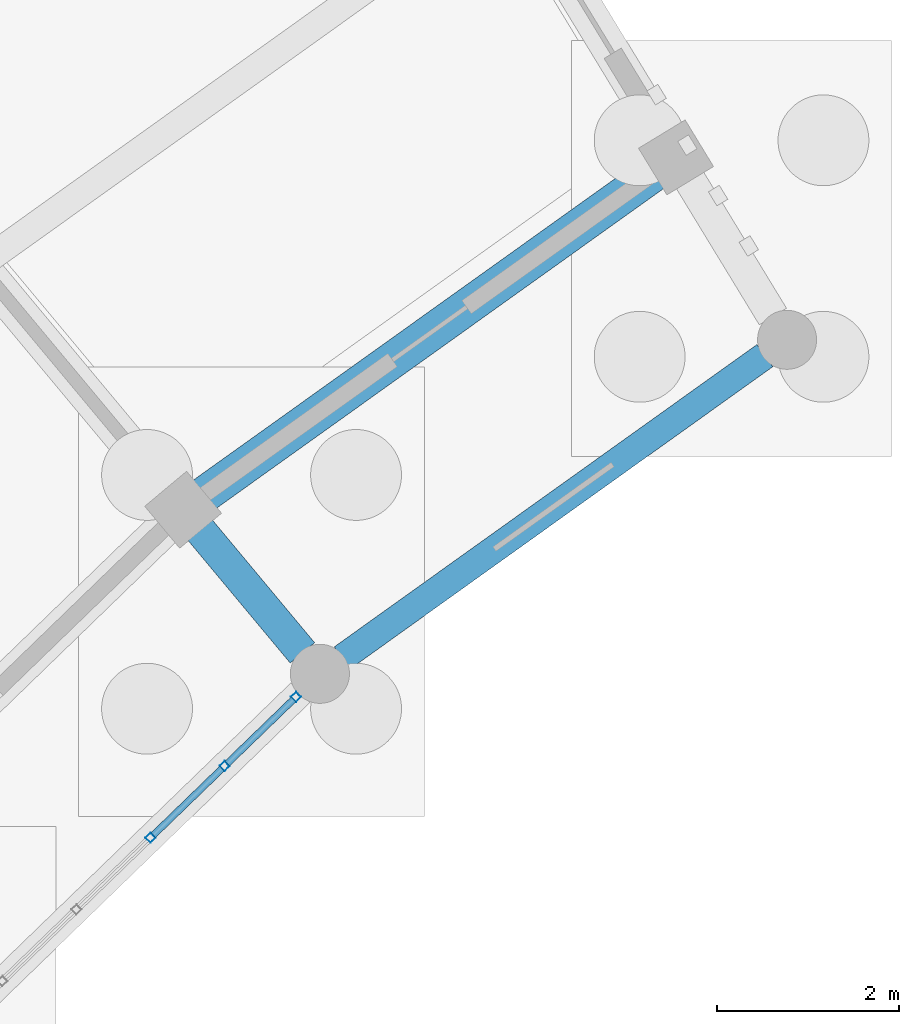
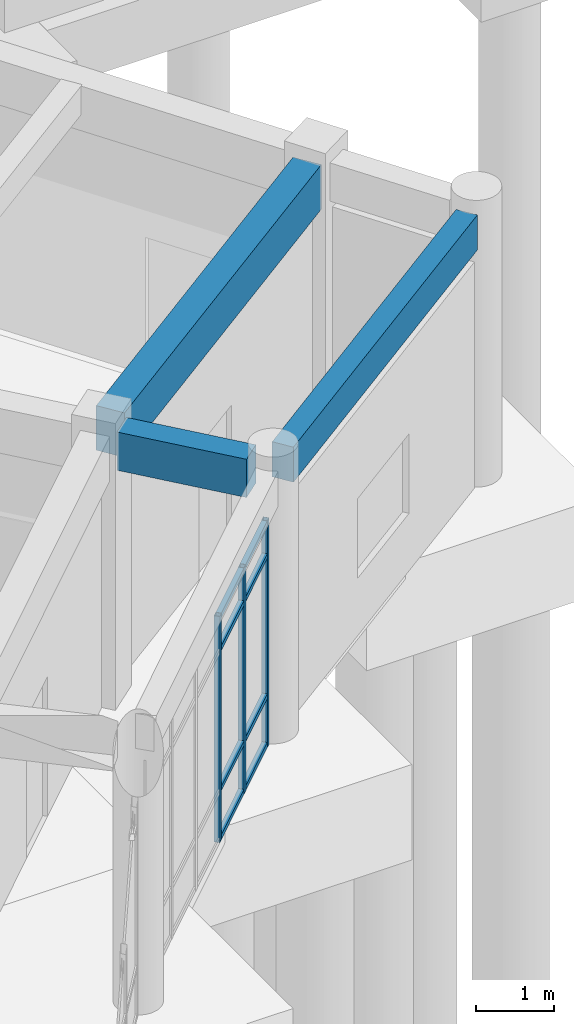
# One storey, part 70 of 153: 11 members, 3 beams, 1 element without a shape of its own.
"""IFC4 building model written with IfcOpenShell, lengths in metres."""

from ifc_helpers import new_model, si_unit, direction, frame, origin, origin_2d, place, context, subcontext, project, spatial, rectangle, hollow_rectangle, extrude, material, material_profile, profile_set, type_object, element, aggregate, save


model = new_model("IFC4")

# Units and contexts
model_context = context("Model", 3, precision=1e-05, world=origin(), true_north=direction((0.0, 1.0)))
body_context = subcontext(model_context, "Body", "Model", "MODEL_VIEW")
ifc_project = project(units=[si_unit("LENGTHUNIT", "METRE"), si_unit("AREAUNIT", "SQUARE_METRE"), si_unit("VOLUMEUNIT", "CUBIC_METRE"), si_unit("PLANEANGLEUNIT", "RADIAN"), si_unit("MASSUNIT", "GRAM", prefix="KILO")], contexts=[model_context])

# Site, building, storey
site_placement = place(None, origin())
site = spatial("IfcSite", under=ifc_project, at=site_placement, CompositionType="ELEMENT")
building_placement = place(site_placement, origin())
building = spatial("IfcBuilding", under=site, at=building_placement, Name="Celadon Cloister-Ring School", CompositionType="ELEMENT")
storey_placement = place(building_placement, origin())
storey = spatial("IfcBuildingStorey", under=building, at=storey_placement, Name="L00", CompositionType="ELEMENT", Elevation=0.0)

# Beam
ifc_material_1 = material(Name="Concrete C35/45", Category="concrete")
ifc_material_profile_1 = material_profile(ifc_material_1, rectangle(XDim=0.35009765625, YDim=0.60009765625, at=origin_2d()), Name="RC350X600")
ifc_profile_set_1 = profile_set([ifc_material_profile_1], Name="Concrete C35/45")
beam_type_1 = type_object("IfcBeamType", Name="BT-02", PredefinedType="BEAM", material=ifc_profile_set_1)
beam_1_placement = place(storey_placement, frame((58.361083984375, 93.35400390625, 3.97998046875), z_axis=(0.640279058295, -0.768142387523, 0.0), x_axis=(0.768142387523, 0.640279058295, 0.0)))
element("IfcBeam", 1, at=beam_1_placement, inside=storey, type_object=beam_type_1, Name="Beam 0004", PredefinedType="BEAM", context=body_context, shape_type="SweptSolid", body=[
    extrude(rectangle(XDim=0.35009765625, YDim=0.60009765625, at=origin_2d()), origin(), (0.0, 0.0, 1.0), 1.775634765625),
])

# Curtain wall, members
ifc_material_2 = material(Name="Aluminium EN AW-6063 T6", Category="aluminium")
curtain_wall_type = type_object("IfcCurtainWallType", Name="CW-01", PredefinedType="USERDEFINED", material=ifc_material_2)
curtain_wall_placement = place(storey_placement, origin())
curtain_wall = element("IfcCurtainWall", 2, at=curtain_wall_placement, inside=storey, type_object=curtain_wall_type, Name="Curtain Wall 0001", ObjectType="CURTAIN WALL", PredefinedType="USERDEFINED")
ifc_material_3 = material(Name="Aluminium EN AW-6063 T6", Category="aluminium")
ifc_material_profile_2 = material_profile(ifc_material_3, hollow_rectangle(XDim=0.080078125, YDim=0.080078125, WallThickness=0.00390625, at=origin_2d()), Name="RHS80X80X4")
ifc_profile_set_2 = profile_set([ifc_material_profile_2], Name="Aluminium EN AW-6063 T6")
member_type_1 = type_object("IfcMemberType", Name="CM-03", PredefinedType="MULLION", material=ifc_profile_set_2)
member_1_placement = place(storey_placement, frame((59.42822265625, 91.506103515625, 0.0), z_axis=(0.0, 0.0, 1.0), x_axis=(0.695459621292, -0.718565178082, 0.0)))
member_1 = element("IfcMember", 3, at=member_1_placement, type_object=member_type_1, Name="CW-01 mullion 1", PredefinedType="MULLION", context=body_context, shape_type="SweptSolid", body=[
    extrude(hollow_rectangle(XDim=0.080078125, YDim=0.080078125, WallThickness=0.00390625, at=origin_2d()), origin(), (0.0, 0.0, 1.0), 3.550048828125),
])
member_2_placement = place(storey_placement, frame((58.64208984375, 90.745361328125, 0.0), z_axis=(0.0, 0.0, 1.0), x_axis=(0.695459621292, -0.718565178082, 0.0)))
member_2 = element("IfcMember", 4, at=member_2_placement, type_object=member_type_1, Name="CW-01 mullion 2", PredefinedType="MULLION", context=body_context, shape_type="SweptSolid", body=[
    extrude(hollow_rectangle(XDim=0.080078125, YDim=0.080078125, WallThickness=0.00390625, at=origin_2d()), origin(), (0.0, 0.0, 1.0), 3.550048828125),
])
member_3_placement = place(storey_placement, frame((57.827392578125, 89.956787109375, 0.0), z_axis=(0.0, 0.0, 1.0), x_axis=(0.695459621292, -0.718565178082, 0.0)))
member_3 = element("IfcMember", 5, at=member_3_placement, type_object=member_type_1, Name="CW-01 mullion 3", PredefinedType="MULLION", context=body_context, shape_type="SweptSolid", body=[
    extrude(hollow_rectangle(XDim=0.080078125, YDim=0.080078125, WallThickness=0.00390625, at=origin_2d()), origin(), (0.0, 0.0, 1.0), 3.550048828125),
])
ifc_material_4 = material(Name="Aluminium EN AW-6063 T6", Category="aluminium")
ifc_material_profile_3 = material_profile(ifc_material_4, hollow_rectangle(XDim=0.074951171875, YDim=0.074951171875, WallThickness=0.00390625, at=origin_2d()), Name="RHS75X75X4")
ifc_profile_set_3 = profile_set([ifc_material_profile_3], Name="Aluminium EN AW-6063 T6")
member_type_2 = type_object("IfcMemberType", Name="CTM-03", PredefinedType="USERDEFINED", material=ifc_profile_set_3)
member_4_placement = place(storey_placement, frame((59.3994140625, 91.478271484375, 0.03759765625), z_axis=(-0.718571085746, -0.695453517304, 0.0), x_axis=(0.695453517304, -0.718571085746, 0.0)))
member_4 = element("IfcMember", 6, at=member_4_placement, type_object=member_type_2, Name="CW-01 transom 1.1", ObjectType="TRANSOM", PredefinedType="USERDEFINED", context=body_context, shape_type="SweptSolid", body=[
    extrude(hollow_rectangle(XDim=0.074951171875, YDim=0.074951171875, WallThickness=0.00390625, at=origin_2d()), origin(), (0.0, 0.0, 1.0), 1.013916015625),
])
member_5_placement = place(storey_placement, frame((59.3994140625, 91.478271484375, 0.800048828125), z_axis=(-0.718571085746, -0.695453517304, 0.0), x_axis=(0.695453517304, -0.718571085746, 0.0)))
member_5 = element("IfcMember", 7, at=member_5_placement, type_object=member_type_2, Name="CW-01 transom 1.2", ObjectType="TRANSOM", PredefinedType="USERDEFINED", context=body_context, shape_type="SweptSolid", body=[
    extrude(hollow_rectangle(XDim=0.074951171875, YDim=0.074951171875, WallThickness=0.00390625, at=origin_2d()), origin(), (0.0, 0.0, 1.0), 1.013916015625),
])
member_6_placement = place(storey_placement, frame((59.3994140625, 91.478271484375, 3.0), z_axis=(-0.718571085746, -0.695453517304, 0.0), x_axis=(0.695453517304, -0.718571085746, 0.0)))
member_6 = element("IfcMember", 8, at=member_6_placement, type_object=member_type_2, Name="CW-01 transom 1.3", ObjectType="TRANSOM", PredefinedType="USERDEFINED", context=body_context, shape_type="SweptSolid", body=[
    extrude(hollow_rectangle(XDim=0.074951171875, YDim=0.074951171875, WallThickness=0.00390625, at=origin_2d()), origin(), (0.0, 0.0, 1.0), 1.013916015625),
])
member_7_placement = place(storey_placement, frame((59.3994140625, 91.478271484375, 3.512451171875), z_axis=(-0.718571085746, -0.695453517304, 0.0), x_axis=(0.695453517304, -0.718571085746, 0.0)))
member_7 = element("IfcMember", 9, at=member_7_placement, type_object=member_type_2, Name="CW-01 transom 1.4", ObjectType="TRANSOM", PredefinedType="USERDEFINED", context=body_context, shape_type="SweptSolid", body=[
    extrude(hollow_rectangle(XDim=0.074951171875, YDim=0.074951171875, WallThickness=0.00390625, at=origin_2d()), origin(), (0.0, 0.0, 1.0), 1.013916015625),
])
member_8_placement = place(storey_placement, frame((58.613525390625, 90.717529296875, 0.03759765625), z_axis=(-0.71859467299, -0.695429145169, 0.0), x_axis=(0.695429145169, -0.71859467299, 0.0)))
member_8 = element("IfcMember", 10, at=member_8_placement, type_object=member_type_2, Name="CW-01 transom 2.1", ObjectType="TRANSOM", PredefinedType="USERDEFINED", context=body_context, shape_type="SweptSolid", body=[
    extrude(hollow_rectangle(XDim=0.074951171875, YDim=0.074951171875, WallThickness=0.00390625, at=origin_2d()), origin(), (0.0, 0.0, 1.0), 1.053955078125),
])
member_9_placement = place(storey_placement, frame((58.613525390625, 90.717529296875, 0.800048828125), z_axis=(-0.71859467299, -0.695429145169, 0.0), x_axis=(0.695429145169, -0.71859467299, 0.0)))
member_9 = element("IfcMember", 11, at=member_9_placement, type_object=member_type_2, Name="CW-01 transom 2.2", ObjectType="TRANSOM", PredefinedType="USERDEFINED", context=body_context, shape_type="SweptSolid", body=[
    extrude(hollow_rectangle(XDim=0.074951171875, YDim=0.074951171875, WallThickness=0.00390625, at=origin_2d()), origin(), (0.0, 0.0, 1.0), 1.053955078125),
])
member_10_placement = place(storey_placement, frame((58.613525390625, 90.717529296875, 3.0), z_axis=(-0.71859467299, -0.695429145169, 0.0), x_axis=(0.695429145169, -0.71859467299, 0.0)))
member_10 = element("IfcMember", 12, at=member_10_placement, type_object=member_type_2, Name="CW-01 transom 2.3", ObjectType="TRANSOM", PredefinedType="USERDEFINED", context=body_context, shape_type="SweptSolid", body=[
    extrude(hollow_rectangle(XDim=0.074951171875, YDim=0.074951171875, WallThickness=0.00390625, at=origin_2d()), origin(), (0.0, 0.0, 1.0), 1.053955078125),
])
member_11_placement = place(storey_placement, frame((58.613525390625, 90.717529296875, 3.512451171875), z_axis=(-0.71859467299, -0.695429145169, 0.0), x_axis=(0.695429145169, -0.71859467299, 0.0)))
member_11 = element("IfcMember", 13, at=member_11_placement, type_object=member_type_2, Name="CW-01 transom 2.4", ObjectType="TRANSOM", PredefinedType="USERDEFINED", context=body_context, shape_type="SweptSolid", body=[
    extrude(hollow_rectangle(XDim=0.074951171875, YDim=0.074951171875, WallThickness=0.00390625, at=origin_2d()), origin(), (0.0, 0.0, 1.0), 1.053955078125),
])
aggregate(curtain_wall, [member_1, member_2, member_3, member_4, member_5, member_6, member_7, member_8, member_9, member_10, member_11])

# Beams
ifc_material_5 = material(Name="Concrete C35/45", Category="concrete")
ifc_material_profile_4 = material_profile(ifc_material_5, rectangle(XDim=0.39990234375, YDim=0.699951171875, at=origin_2d()), Name="RC400X700")
ifc_profile_set_4 = profile_set([ifc_material_profile_4], Name="Concrete C35/45")
beam_type_2 = type_object("IfcBeamType", Name="GT-03", PredefinedType="USERDEFINED", material=ifc_profile_set_4)
beam_2_placement = place(storey_placement, frame((63.384033203125, 97.281982421875, 3.929931640625), z_axis=(-0.813482549001, -0.581589324585, 0.0), x_axis=(0.581589324585, -0.813482549001, 0.0)))
element("IfcBeam", 14, at=beam_2_placement, inside=storey, type_object=beam_type_2, Name="Beam 0070", ObjectType="GIRDER", PredefinedType="USERDEFINED", context=body_context, shape_type="SweptSolid", body=[
    extrude(rectangle(XDim=0.39990234375, YDim=0.699951171875, at=origin_2d()), origin(), (0.0, 0.0, 1.0), 6.11572265625),
])
ifc_material_6 = material(Name="Concrete C35/45", Category="concrete")
ifc_material_profile_5 = material_profile(ifc_material_6, rectangle(XDim=0.300048828125, YDim=0.550048828125, at=origin_2d()), Name="RC300X550")
ifc_profile_set_5 = profile_set([ifc_material_profile_5], Name="Concrete C35/45")
beam_type_3 = type_object("IfcBeamType", Name="SP-02", PredefinedType="SPANDREL", material=ifc_profile_set_5)
beam_3_placement = place(storey_placement, frame((64.5859375, 95.260986328125, 4.0048828125), z_axis=(-0.813390089267, -0.581718628447, 0.0), x_axis=(0.581718628447, -0.813390089267, 0.0)))
element("IfcBeam", 15, at=beam_3_placement, inside=storey, type_object=beam_type_3, Name="Beam 0071", PredefinedType="SPANDREL", context=body_context, shape_type="SweptSolid", body=[
    extrude(rectangle(XDim=0.300048828125, YDim=0.550048828125, at=origin_2d()), origin(), (0.0, 0.0, 1.0), 5.718994140625),
])

save(model, "model.ifc")
